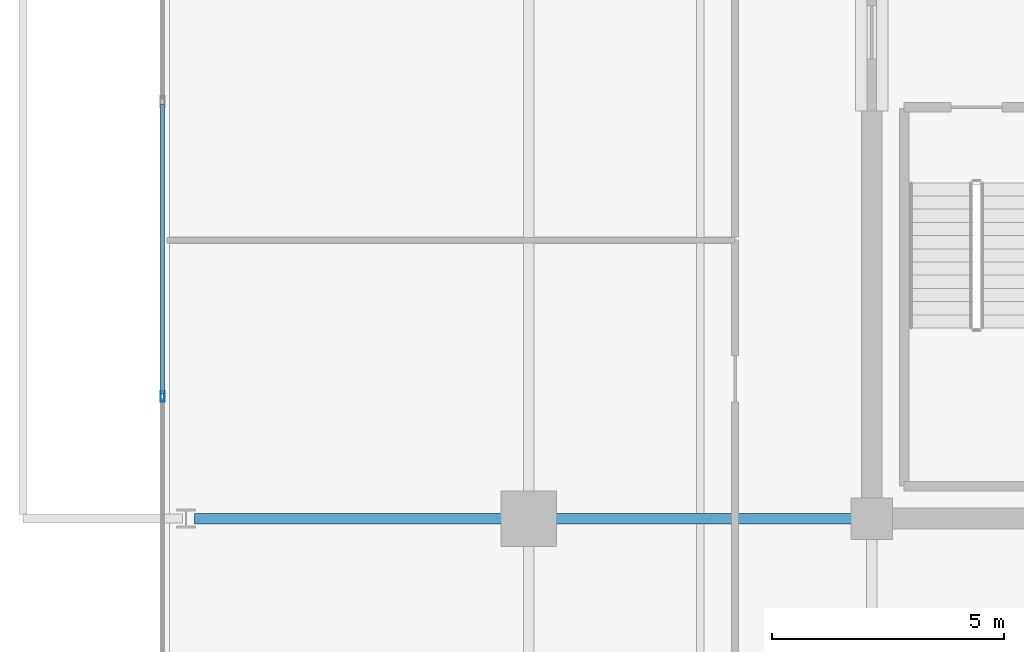
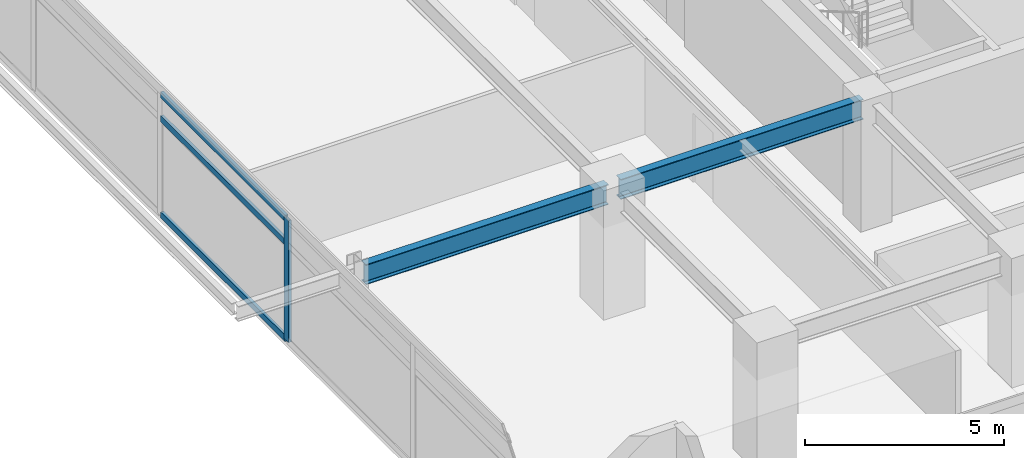
# One storey, part 4 of 23: 4 members, 2 beams, 1 element without a shape of its own.
"""IFC4 building model written with IfcOpenShell, lengths in metres."""

from ifc_helpers import new_model, si_unit, direction, frame, origin, origin_2d, place, context, subcontext, project, spatial, hollow_rectangle, i_section, extrude, material, material_profile, profile_set, type_object, element, aggregate, save


model = new_model("IFC4")

# Units and contexts
model_context = context("Model", 3, precision=1e-05, world=origin(), true_north=direction((0.0, 1.0)))
body_context = subcontext(model_context, "Body", "Model", "MODEL_VIEW")
ifc_project = project(units=[si_unit("LENGTHUNIT", "METRE"), si_unit("AREAUNIT", "SQUARE_METRE"), si_unit("VOLUMEUNIT", "CUBIC_METRE"), si_unit("PLANEANGLEUNIT", "RADIAN"), si_unit("MASSUNIT", "GRAM", prefix="KILO")], contexts=[model_context])

# Site, building, storey
site_placement = place(None, origin())
site = spatial("IfcSite", under=ifc_project, at=site_placement, CompositionType="ELEMENT")
building_placement = place(site_placement, origin())
building = spatial("IfcBuilding", under=site, at=building_placement, Name="Kovane Verandah Tower", CompositionType="ELEMENT")
storey_placement = place(building_placement, frame((0.0, 0.0, 243.199951171875)))
storey = spatial("IfcBuildingStorey", under=building, at=storey_placement, Name="L56", CompositionType="ELEMENT", Elevation=243.199951171875)

# Beams
ifc_material_1 = material(Name="Steel S355", Category="steel")
ifc_material_profile_1 = material_profile(ifc_material_1, i_section(OverallWidth=0.230224609375, OverallDepth=0.6171875, WebThickness=0.01318359375, FlangeThickness=0.022216796875, FilletRadius=0.0126953125, at=origin_2d()), Name="UB610x229x140")
ifc_profile_set_1 = profile_set([ifc_material_profile_1], Name="Steel S355")
beam_type = type_object("IfcBeamType", Name="BM-UB610x140", PredefinedType="BEAM", material=ifc_profile_set_1)
for number, where, z_axis, x_axis, name in (
    (1, (28.820068359375, 18.5, 3.4765625), (-1.0, 0.0, 0.0), (0.0, -1.0, 0.0), "L56 Primary Tower Girder G-W1"),
    (2, (21.419921875, 18.5, 3.451416015625), (-1.0, 0.0, 0.0), (0.0, -1.0, 0.0), "L56 Primary Tower Girder G-VW1"),
):
    element("IfcBeam", number, at=place(storey_placement, frame(where, z_axis=z_axis, x_axis=x_axis)), inside=storey, type_object=beam_type, Name=name, PredefinedType="BEAM", context=body_context, shape_type="SweptSolid", body=[
        extrude(i_section(OverallWidth=0.230224609375, OverallDepth=0.6171875, WebThickness=0.01318359375, FlangeThickness=0.022216796875, FilletRadius=0.0126953125, at=origin_2d()), origin(), (0.0, 0.0, 1.0), 7.0400390625),
    ])

# Curtain wall, members
ifc_material_2 = material(Name="Champagne Anodised Aluminium Frame with Low-E Clear Laminated Glass", Category="aluminium")
curtain_wall_type = type_object("IfcCurtainWallType", Name="CW-SYS-05-HIGH", PredefinedType="NOTDEFINED", material=ifc_material_2)
curtain_wall_placement = place(storey_placement, origin())
curtain_wall = element("IfcCurtainWall", 3, at=curtain_wall_placement, inside=storey, type_object=curtain_wall_type, Name="L56 W Unitised Curtain Wall", PredefinedType="NOTDEFINED")
ifc_material_3 = material(Name="Champagne Anodised Aluminium 6063-T6", Category="aluminium")
ifc_material_profile_2 = material_profile(ifc_material_3, hollow_rectangle(XDim=0.0849609375, YDim=0.22998046875, WallThickness=0.00390625, at=origin_2d()), Name="AL85x230x4")
ifc_profile_set_2 = profile_set([ifc_material_profile_2], Name="Champagne Anodised Aluminium 6063-T6")
member_type_1 = type_object("IfcMemberType", Name="CW-MUL-85x230", PredefinedType="MULLION", material=ifc_profile_set_2)
member_1_placement = place(storey_placement, frame((13.6923828125, 21.139892578125, 0.02001953125), z_axis=(0.0, 0.0, 1.0), x_axis=(-1.0, 0.0, 0.0)))
member_1 = element("IfcMember", 4, at=member_1_placement, type_object=member_type_1, Name="L56 W Unitised Curtain Wall Mullion 5", PredefinedType="MULLION", context=body_context, shape_type="SweptSolid", body=[
    extrude(hollow_rectangle(XDim=0.0849609375, YDim=0.22998046875, WallThickness=0.00390625, at=origin_2d()), origin(), (0.0, 0.0, 1.0), 3.7451171875),
])
ifc_material_profile_3 = material_profile(ifc_material_3, hollow_rectangle(XDim=0.0849609375, YDim=0.18994140625, WallThickness=0.00390625, at=origin_2d()), Name="AL85x190x4")
ifc_profile_set_3 = profile_set([ifc_material_profile_3], Name="Champagne Anodised Aluminium 6063-T6")
member_type_2 = type_object("IfcMemberType", Name="CW-TRN-85x190", PredefinedType="USERDEFINED", material=ifc_profile_set_3)
member_2_placement = place(storey_placement, frame((13.6923828125, 27.449951171875, 0.050048828125), z_axis=(0.0, -1.0, 0.0), x_axis=(1.0, 0.0, 0.0)))
member_2 = element("IfcMember", 5, at=member_2_placement, type_object=member_type_2, Name="L56 W Unitised Curtain Wall Transom TB Bay 4", ObjectType="TRANSOM", PredefinedType="USERDEFINED", context=body_context, shape_type="SweptSolid", body=[
    extrude(hollow_rectangle(XDim=0.0849609375, YDim=0.18994140625, WallThickness=0.00390625, at=origin_2d()), origin(), (0.0, 0.0, 1.0), 6.260009765625),
])
member_3_placement = place(storey_placement, frame((13.6923828125, 27.449951171875, 3.005126953125), z_axis=(0.0, -1.0, 0.0), x_axis=(1.0, 0.0, 0.0)))
member_3 = element("IfcMember", 6, at=member_3_placement, type_object=member_type_2, Name="L56 W Unitised Curtain Wall Transom TM Bay 4", ObjectType="TRANSOM", PredefinedType="USERDEFINED", context=body_context, shape_type="SweptSolid", body=[
    extrude(hollow_rectangle(XDim=0.0849609375, YDim=0.18994140625, WallThickness=0.00390625, at=origin_2d()), origin(), (0.0, 0.0, 1.0), 6.260009765625),
])
member_4_placement = place(storey_placement, frame((13.6923828125, 27.449951171875, 3.735107421875), z_axis=(0.0, -1.0, 0.0), x_axis=(1.0, 0.0, 0.0)))
member_4 = element("IfcMember", 7, at=member_4_placement, type_object=member_type_2, Name="L56 W Unitised Curtain Wall Transom TT Bay 4", ObjectType="TRANSOM", PredefinedType="USERDEFINED", context=body_context, shape_type="SweptSolid", body=[
    extrude(hollow_rectangle(XDim=0.0849609375, YDim=0.18994140625, WallThickness=0.00390625, at=origin_2d()), origin(), (0.0, 0.0, 1.0), 6.260009765625),
])
aggregate(curtain_wall, [member_1, member_2, member_3, member_4])

save(model, "model.ifc")
